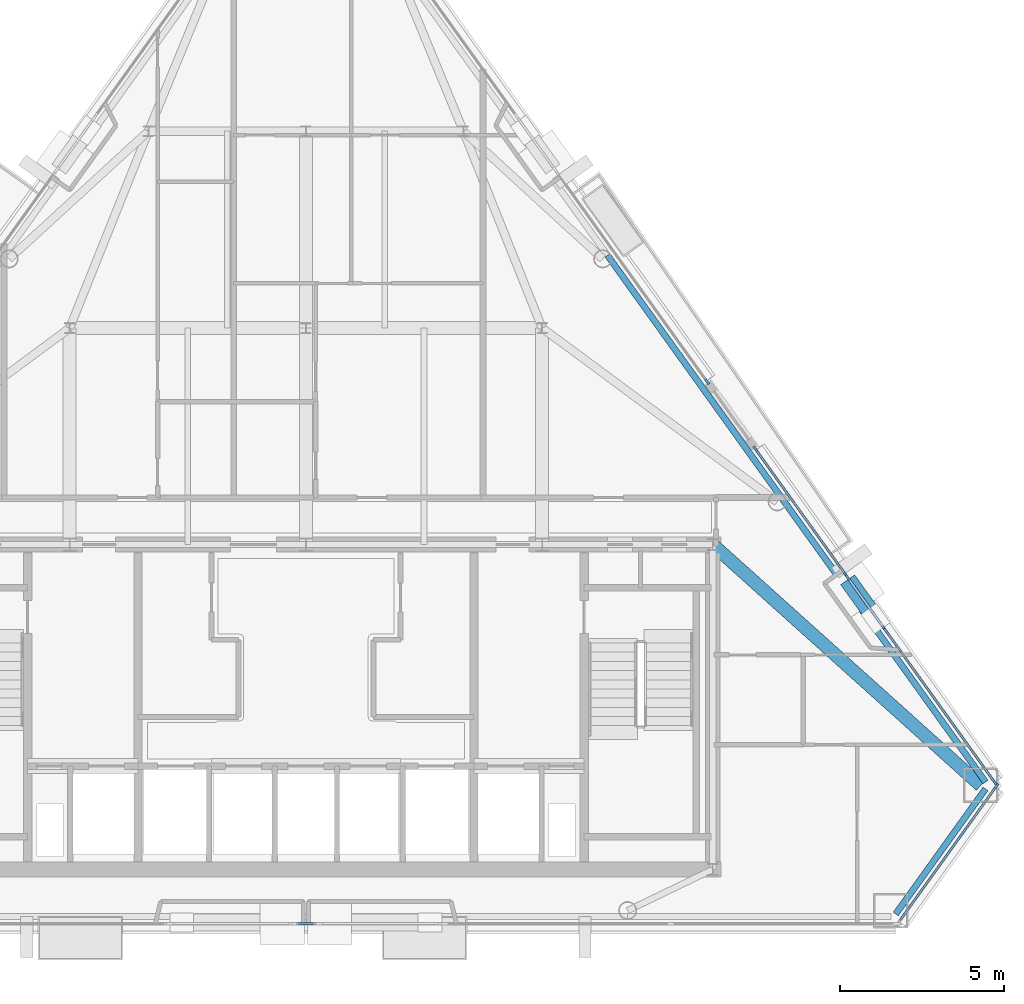
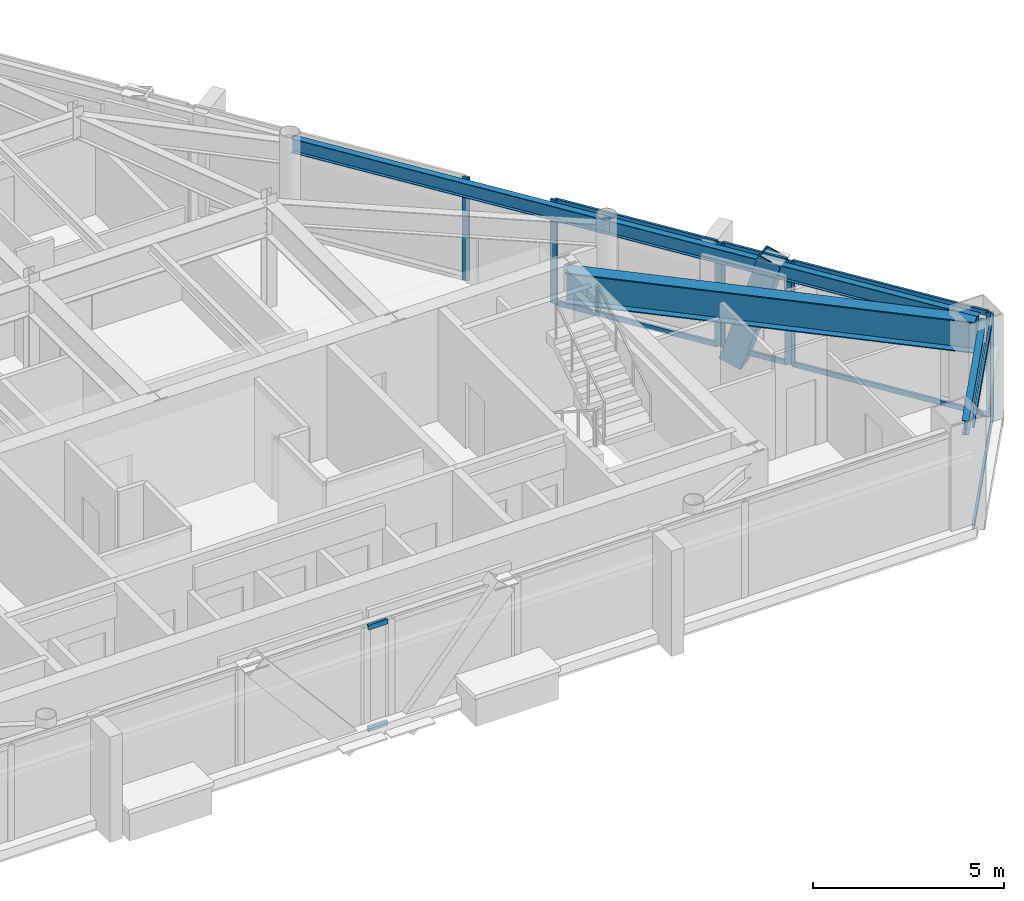
# One storey, part 5 of 12: 19 members, 4 beams, 6 elements without a shape of their own.
"""IFC4 building model written with IfcOpenShell, lengths in metres."""

from ifc_helpers import new_model, si_unit, direction, frame, origin, origin_2d, place, context, subcontext, project, spatial, rectangle, hollow_rectangle, i_section, extrude, material, layer, layer_set, material_profile, profile_set, type_object, element, aggregate, save


model = new_model("IFC4")

# Units and contexts
model_context = context("Model", 3, precision=1e-05, world=origin(), true_north=direction((0.0, 1.0)))
body_context = subcontext(model_context, "Body", "Model", "MODEL_VIEW")
ifc_project = project(units=[si_unit("LENGTHUNIT", "METRE"), si_unit("AREAUNIT", "SQUARE_METRE"), si_unit("VOLUMEUNIT", "CUBIC_METRE"), si_unit("PLANEANGLEUNIT", "RADIAN"), si_unit("MASSUNIT", "GRAM", prefix="KILO")], contexts=[model_context])

# Site, building, storey
site_placement = place(None, origin())
site = spatial("IfcSite", under=ifc_project, at=site_placement, CompositionType="ELEMENT")
building_placement = place(site_placement, origin())
building = spatial("IfcBuilding", under=site, at=building_placement, Name="Talgorran Terracotta Tower", CompositionType="ELEMENT")
storey_placement = place(building_placement, frame((0.0, 0.0, 225.300048828125)))
storey = spatial("IfcBuildingStorey", under=building, at=storey_placement, Name="L59", CompositionType="ELEMENT", Elevation=225.300048828125)

# Beams
ifc_material_1 = material(Name="Steel Grade 350 (350L0)", Category="steel")
ifc_material_profile_1 = material_profile(ifc_material_1, i_section(OverallWidth=0.39990234375, OverallDepth=1.0, WebThickness=0.01611328125, FlangeThickness=0.031005859375, at=origin_2d()), Name="1000WB296")
ifc_profile_set_1 = profile_set([ifc_material_profile_1], Name="Steel Grade 350 (350L0)")
beam_type_1 = type_object("IfcBeamType", Name="BM_1000WB296", PredefinedType="BEAM", material=ifc_profile_set_1)
beam_1_placement = place(storey_placement, frame((12.39990234375, -4.199951171875, 2.820068359375), z_axis=(0.743768255752, -0.668437567567, 0.0), x_axis=(0.668437567567, 0.743768255752, 0.0)))
element("IfcBeam", 1, at=beam_1_placement, inside=storey, type_object=beam_type_1, Name="L59 Floor Girder G18", PredefinedType="BEAM", context=body_context, shape_type="SweptSolid", body=[
    extrude(i_section(OverallWidth=0.39990234375, OverallDepth=1.0, WebThickness=0.01611328125, FlangeThickness=0.031005859375, at=origin_2d()), origin(), (0.0, 0.0, 1.0), 10.980224609375),
])
ifc_material_2 = material(Name="Steel S355 (300PLUS)", Category="steel")
ifc_material_profile_2 = material_profile(ifc_material_2, i_section(OverallWidth=0.18994140625, OverallDepth=0.45703125, WebThickness=0.009033203125, FlangeThickness=0.014404296875, at=origin_2d()), Name="460UB74.6")
ifc_profile_set_2 = profile_set([ifc_material_profile_2], Name="Steel S355 (300PLUS)")
beam_type_2 = type_object("IfcBeamType", Name="BM_SP_460UB74", PredefinedType="SPANDREL", material=ifc_profile_set_2)
beam_2_placement = place(storey_placement, frame((17.976318359375, -15.457275390625, 3.091552734375), z_axis=(0.583096756271, 0.812402715915, 0.0), x_axis=(-0.812402715915, 0.583096756271, 0.0)))
element("IfcBeam", 2, at=beam_2_placement, inside=storey, type_object=beam_type_2, Name="L59 Perimeter Spandrel Beam MC3-MC4", PredefinedType="SPANDREL", context=body_context, shape_type="SweptSolid", body=[
    extrude(i_section(OverallWidth=0.18994140625, OverallDepth=0.45703125, WebThickness=0.009033203125, FlangeThickness=0.014404296875, at=origin_2d()), origin(), (0.0, 0.0, 1.0), 4.693115234375),
])
beam_3_placement = place(storey_placement, frame((20.712890625, -11.4345703125, 3.091552734375), z_axis=(-0.583120966057, 0.812385338953, 0.0), x_axis=(-0.812385338953, -0.583120966057, 0.0)))
element("IfcBeam", 3, at=beam_3_placement, inside=storey, type_object=beam_type_2, Name="L59 Perimeter Spandrel Beam MC4-FC3", PredefinedType="SPANDREL", context=body_context, shape_type="SweptSolid", body=[
    extrude(i_section(OverallWidth=0.18994140625, OverallDepth=0.45703125, WebThickness=0.009033203125, FlangeThickness=0.014404296875, at=origin_2d()), origin(), (0.0, 0.0, 1.0), 10.63818359375),
])
beam_4_placement = place(storey_placement, frame((14.509521484375, -2.792236328125, 3.091552734375), z_axis=(-0.583100770976, 0.812399834372, 0.0), x_axis=(-0.812399834372, -0.583100770976, 0.0)))
element("IfcBeam", 4, at=beam_4_placement, inside=storey, type_object=beam_type_2, Name="L59 Perimeter Spandrel Beam FC3-FC4", PredefinedType="SPANDREL", context=body_context, shape_type="SweptSolid", body=[
    extrude(i_section(OverallWidth=0.18994140625, OverallDepth=0.45703125, WebThickness=0.009033203125, FlangeThickness=0.014404296875, at=origin_2d()), origin(), (0.0, 0.0, 1.0), 9.118408203125),
])

# Member
ifc_material_profile_3 = material_profile(ifc_material_1, hollow_rectangle(XDim=0.52001953125, YDim=0.659912109375, WallThickness=0.034912109375, at=origin_2d()), Name="WBOX660X520X35")
ifc_profile_set_3 = profile_set([ifc_material_profile_3], Name="Steel Grade 350 (350L0)")
member_type_1 = type_object("IfcMemberType", Name="MB_MEGA_660", PredefinedType="BRACE", material=ifc_profile_set_3)
member_1_placement = place(storey_placement, frame((16.694091796875, -5.527099609375, -0.275146484375), z_axis=(0.175338906747, -0.244162322088, 0.953751030538), x_axis=(0.812256146727, 0.583300910426, 0.0)))
element("IfcMember", 5, at=member_1_placement, inside=storey, type_object=member_type_1, Name="L59 Exterior Face Mega-Brace MB-3 (NEL)", PredefinedType="BRACE", context=body_context, shape_type="SweptSolid", body=[
    extrude(hollow_rectangle(XDim=0.52001953125, YDim=0.659912109375, WallThickness=0.034912109375, at=origin_2d()), origin(), (0.0, 0.0, 1.0), 3.795654296875),
])

# Curtain wall, member
ifc_material_3 = material(Name="High-Wind Unitised Glazing", Category="glass")
ifc_layer = layer(ifc_material_3, 0.2099609375, Name="CW_SYS3_RES_HIGH")
ifc_layer_set = layer_set([ifc_layer], Name="High-Wind Unitised Glazing")
curtain_wall_type = type_object("IfcCurtainWallType", Name="CW_SYS3_RES_HIGH", PredefinedType="NOTDEFINED", material=ifc_layer_set)
curtain_wall_1_placement = place(storey_placement, origin())
curtain_wall_1 = element("IfcCurtainWall", 6, at=curtain_wall_1_placement, inside=storey, type_object=curtain_wall_type, Name="CW-L59-F2", PredefinedType="NOTDEFINED")
ifc_material_4 = material(Name="Architectural Aluminium 6063-T6", Category="aluminium")
ifc_material_profile_4 = material_profile(ifc_material_4, rectangle(XDim=0.070068359375, YDim=0.199951171875, at=origin_2d()), Name="CWM70X200")
ifc_profile_set_4 = profile_set([ifc_material_profile_4], Name="Architectural Aluminium 6063-T6")
member_type_2 = type_object("IfcMemberType", Name="MUL_70X200", PredefinedType="MULLION", material=ifc_profile_set_4)
member_2_placement = place(storey_placement, frame((21.03857421875, -11.568115234375, 0.0), z_axis=(0.0, 0.0, 1.0), x_axis=(-0.812390492916, 0.583113785654, 0.0)))
member_2 = element("IfcMember", 7, at=member_2_placement, type_object=member_type_2, Name="CW-L59-2 mullion 2", PredefinedType="MULLION", context=body_context, shape_type="SweptSolid", body=[
    extrude(rectangle(XDim=0.070068359375, YDim=0.199951171875, at=origin_2d()), origin(), (0.0, 0.0, 1.0), 3.320068359375),
])

# Curtain wall, members
curtain_wall_2_placement = place(storey_placement, origin())
curtain_wall_2 = element("IfcCurtainWall", 8, at=curtain_wall_2_placement, inside=storey, type_object=curtain_wall_type, Name="CW-L59-F40", PredefinedType="NOTDEFINED")
member_3_placement = place(storey_placement, frame((21.015380859375, -11.478759765625, 0.0), z_axis=(0.0, 0.0, 1.0), x_axis=(-0.812389099505, -0.583115726941, 0.0)))
member_3 = element("IfcMember", 9, at=member_3_placement, type_object=member_type_2, Name="CW-L59-40 mullion 1", PredefinedType="MULLION", context=body_context, shape_type="SweptSolid", body=[
    extrude(rectangle(XDim=0.070068359375, YDim=0.199951171875, at=origin_2d()), origin(), (0.0, 0.0, 1.0), 3.320068359375),
])
member_4_placement = place(storey_placement, frame((17.686279296875, -6.840576171875, 0.0), z_axis=(0.0, 0.0, 1.0), x_axis=(-0.812389099505, -0.583115726941, 0.0)))
member_4 = element("IfcMember", 10, at=member_4_placement, type_object=member_type_2, Name="CW-L59-40 mullion 2", PredefinedType="MULLION", context=body_context, shape_type="SweptSolid", body=[
    extrude(rectangle(XDim=0.070068359375, YDim=0.199951171875, at=origin_2d()), origin(), (0.0, 0.0, 1.0), 3.320068359375),
])

curtain_wall_3_placement = place(storey_placement, origin())
curtain_wall_3 = element("IfcCurtainWall", 11, at=curtain_wall_3_placement, inside=storey, type_object=curtain_wall_type, Name="CW-L59-F40B", PredefinedType="NOTDEFINED")
member_5_placement = place(storey_placement, frame((17.6396484375, -6.775634765625, 0.0), z_axis=(0.0, 0.0, 1.0), x_axis=(-0.812386735853, -0.583119019935, 0.0)))
member_5 = element("IfcMember", 12, at=member_5_placement, type_object=member_type_2, Name="CW-L59-40B mullion 1", PredefinedType="MULLION", context=body_context, shape_type="SweptSolid", body=[
    extrude(rectangle(XDim=0.070068359375, YDim=0.199951171875, at=origin_2d()), origin(), (0.0, 0.0, 1.0), 3.320068359375),
])
member_6_placement = place(storey_placement, frame((16.51123046875, -5.20361328125, 0.0), z_axis=(0.0, 0.0, 1.0), x_axis=(-0.812386735853, -0.583119019935, 0.0)))
member_6 = element("IfcMember", 13, at=member_6_placement, type_object=member_type_2, Name="CW-L59-40B mullion 2", PredefinedType="MULLION", context=body_context, shape_type="SweptSolid", body=[
    extrude(rectangle(XDim=0.070068359375, YDim=0.199951171875, at=origin_2d()), origin(), (0.0, 0.0, 1.0), 3.320068359375),
])

curtain_wall_4_placement = place(storey_placement, origin())
curtain_wall_4 = element("IfcCurtainWall", 14, at=curtain_wall_4_placement, inside=storey, type_object=curtain_wall_type, Name="CW-L59-F40C", PredefinedType="NOTDEFINED")
member_7_placement = place(storey_placement, frame((16.464599609375, -5.138671875, 0.0), z_axis=(0.0, 0.0, 1.0), x_axis=(-0.812388139419, -0.583117064517, 0.0)))
member_7 = element("IfcMember", 15, at=member_7_placement, type_object=member_type_2, Name="CW-L59-40C mullion 1", PredefinedType="MULLION", context=body_context, shape_type="SweptSolid", body=[
    extrude(rectangle(XDim=0.070068359375, YDim=0.199951171875, at=origin_2d()), origin(), (0.0, 0.0, 1.0), 3.320068359375),
])
member_8_placement = place(storey_placement, frame((13.701171875, -1.28857421875, 0.0), z_axis=(0.0, 0.0, 1.0), x_axis=(-0.812388139419, -0.583117064517, 0.0)))
member_8 = element("IfcMember", 16, at=member_8_placement, type_object=member_type_2, Name="CW-L59-40C mullion 2", PredefinedType="MULLION", context=body_context, shape_type="SweptSolid", body=[
    extrude(rectangle(XDim=0.070068359375, YDim=0.199951171875, at=origin_2d()), origin(), (0.0, 0.0, 1.0), 3.320068359375),
])

# Curtain wall, member
curtain_wall_5_placement = place(storey_placement, origin())
curtain_wall_5 = element("IfcCurtainWall", 17, at=curtain_wall_5_placement, inside=storey, type_object=curtain_wall_type, Name="CW-L59-F41", PredefinedType="NOTDEFINED")
member_9_placement = place(storey_placement, frame((12.225830078125, 0.766845703125, 0.0), z_axis=(0.0, 0.0, 1.0), x_axis=(-0.812389836737, -0.583114699837, 0.0)))
member_9 = element("IfcMember", 18, at=member_9_placement, type_object=member_type_2, Name="CW-L59-41 mullion 1", PredefinedType="MULLION", context=body_context, shape_type="SweptSolid", body=[
    extrude(rectangle(XDim=0.070068359375, YDim=0.199951171875, at=origin_2d()), origin(), (0.0, 0.0, 1.0), 3.320068359375),
])
aggregate(curtain_wall_5, [member_9])

# Curtain wall, members
curtain_wall_6_placement = place(storey_placement, origin())
curtain_wall_6 = element("IfcCurtainWall", 19, at=curtain_wall_6_placement, inside=storey, type_object=curtain_wall_type, Name="CW-L59-F1C", PredefinedType="NOTDEFINED")
ifc_material_profile_5 = material_profile(ifc_material_4, rectangle(XDim=0.070068359375, YDim=0.159912109375, at=origin_2d()), Name="CWT70X160")
ifc_profile_set_5 = profile_set([ifc_material_profile_5], Name="Architectural Aluminium 6063-T6")
member_type_3 = type_object("IfcMemberType", Name="TRN_70X160", PredefinedType="USERDEFINED", material=ifc_profile_set_5)
member_10_placement = place(storey_placement, frame((-0.2958984375, -15.752197265625, 0.034912109375), z_axis=(1.0, 0.0, 0.0), x_axis=(0.0, 1.0, 0.0)))
member_10 = element("IfcMember", 20, at=member_10_placement, type_object=member_type_3, Name="CW-L59-1C transom 1.1", ObjectType="TRANSOM", PredefinedType="USERDEFINED", context=body_context, shape_type="SweptSolid", body=[
    extrude(rectangle(XDim=0.070068359375, YDim=0.159912109375, at=origin_2d()), origin(), (0.0, 0.0, 1.0), 0.591796875),
])
member_11_placement = place(storey_placement, frame((-0.2958984375, -15.752197265625, 3.284912109375), z_axis=(1.0, 0.0, 0.0), x_axis=(0.0, 1.0, 0.0)))
member_11 = element("IfcMember", 21, at=member_11_placement, type_object=member_type_3, Name="CW-L59-1C transom 1.2", ObjectType="TRANSOM", PredefinedType="USERDEFINED", context=body_context, shape_type="SweptSolid", body=[
    extrude(rectangle(XDim=0.070068359375, YDim=0.159912109375, at=origin_2d()), origin(), (0.0, 0.0, 1.0), 0.591796875),
])
aggregate(curtain_wall_6, [member_10, member_11])

# Member
member_12_placement = place(storey_placement, frame((18.076171875, -15.6953125, 0.034912109375), z_axis=(0.583122452768, 0.812384271806, 0.0), x_axis=(-0.812384271806, 0.583122452768, 0.0)))
member_12 = element("IfcMember", 22, at=member_12_placement, type_object=member_type_3, Name="CW-L59-2 transom 1.1", ObjectType="TRANSOM", PredefinedType="USERDEFINED", context=body_context, shape_type="SweptSolid", body=[
    extrude(rectangle(XDim=0.070068359375, YDim=0.159912109375, at=origin_2d()), origin(), (0.0, 0.0, 1.0), 5.04541015625),
])

member_13_placement = place(storey_placement, frame((18.076171875, -15.6953125, 3.284912109375), z_axis=(0.583122452768, 0.812384271806, 0.0), x_axis=(-0.812384271806, 0.583122452768, 0.0)))
member_13 = element("IfcMember", 23, at=member_13_placement, type_object=member_type_3, Name="CW-L59-2 transom 1.2", ObjectType="TRANSOM", PredefinedType="USERDEFINED", context=body_context, shape_type="SweptSolid", body=[
    extrude(rectangle(XDim=0.070068359375, YDim=0.159912109375, at=origin_2d()), origin(), (0.0, 0.0, 1.0), 5.04541015625),
])

aggregate(curtain_wall_1, [member_2, member_12, member_13])

member_14_placement = place(storey_placement, frame((20.994873046875, -11.4501953125, 0.034912109375), z_axis=(-0.583104221566, 0.812397357697, 0.0), x_axis=(-0.812397357697, -0.583104221566, 0.0)))
member_14 = element("IfcMember", 24, at=member_14_placement, type_object=member_type_3, Name="CW-L59-40 transom 1.1", ObjectType="TRANSOM", PredefinedType="USERDEFINED", context=body_context, shape_type="SweptSolid", body=[
    extrude(rectangle(XDim=0.070068359375, YDim=0.159912109375, at=origin_2d()), origin(), (0.0, 0.0, 1.0), 5.638916015625),
])

member_15_placement = place(storey_placement, frame((20.994873046875, -11.4501953125, 3.284912109375), z_axis=(-0.583104221566, 0.812397357697, 0.0), x_axis=(-0.812397357697, -0.583104221566, 0.0)))
member_15 = element("IfcMember", 25, at=member_15_placement, type_object=member_type_3, Name="CW-L59-40 transom 1.2", ObjectType="TRANSOM", PredefinedType="USERDEFINED", context=body_context, shape_type="SweptSolid", body=[
    extrude(rectangle(XDim=0.070068359375, YDim=0.159912109375, at=origin_2d()), origin(), (0.0, 0.0, 1.0), 5.638916015625),
])

aggregate(curtain_wall_2, [member_3, member_4, member_14, member_15])

member_16_placement = place(storey_placement, frame((17.619384765625, -6.747314453125, 0.034912109375), z_axis=(-0.583155842004, 0.81236030426, 0.0), x_axis=(-0.81236030426, -0.583155842004, 0.0)))
member_16 = element("IfcMember", 26, at=member_16_placement, type_object=member_type_3, Name="CW-L59-40B transom 1.1", ObjectType="TRANSOM", PredefinedType="USERDEFINED", context=body_context, shape_type="SweptSolid", body=[
    extrude(rectangle(XDim=0.070068359375, YDim=0.159912109375, at=origin_2d()), origin(), (0.0, 0.0, 1.0), 1.864990234375),
])

member_17_placement = place(storey_placement, frame((17.619384765625, -6.747314453125, 3.284912109375), z_axis=(-0.583155842004, 0.81236030426, 0.0), x_axis=(-0.81236030426, -0.583155842004, 0.0)))
member_17 = element("IfcMember", 27, at=member_17_placement, type_object=member_type_3, Name="CW-L59-40B transom 1.2", ObjectType="TRANSOM", PredefinedType="USERDEFINED", context=body_context, shape_type="SweptSolid", body=[
    extrude(rectangle(XDim=0.070068359375, YDim=0.159912109375, at=origin_2d()), origin(), (0.0, 0.0, 1.0), 1.864990234375),
])

aggregate(curtain_wall_3, [member_5, member_6, member_16, member_17])

member_18_placement = place(storey_placement, frame((16.4443359375, -5.1103515625, 0.034912109375), z_axis=(-0.583111232272, 0.812392325664, 0.0), x_axis=(-0.812392325664, -0.583111232272, 0.0)))
member_18 = element("IfcMember", 28, at=member_18_placement, type_object=member_type_3, Name="CW-L59-40C transom 1.1", ObjectType="TRANSOM", PredefinedType="USERDEFINED", context=body_context, shape_type="SweptSolid", body=[
    extrude(rectangle(XDim=0.070068359375, YDim=0.159912109375, at=origin_2d()), origin(), (0.0, 0.0, 1.0), 4.669189453125),
])

member_19_placement = place(storey_placement, frame((16.4443359375, -5.1103515625, 3.284912109375), z_axis=(-0.583111232272, 0.812392325664, 0.0), x_axis=(-0.812392325664, -0.583111232272, 0.0)))
member_19 = element("IfcMember", 29, at=member_19_placement, type_object=member_type_3, Name="CW-L59-40C transom 1.2", ObjectType="TRANSOM", PredefinedType="USERDEFINED", context=body_context, shape_type="SweptSolid", body=[
    extrude(rectangle(XDim=0.070068359375, YDim=0.159912109375, at=origin_2d()), origin(), (0.0, 0.0, 1.0), 4.669189453125),
])

aggregate(curtain_wall_4, [member_7, member_8, member_18, member_19])

save(model, "model.ifc")
